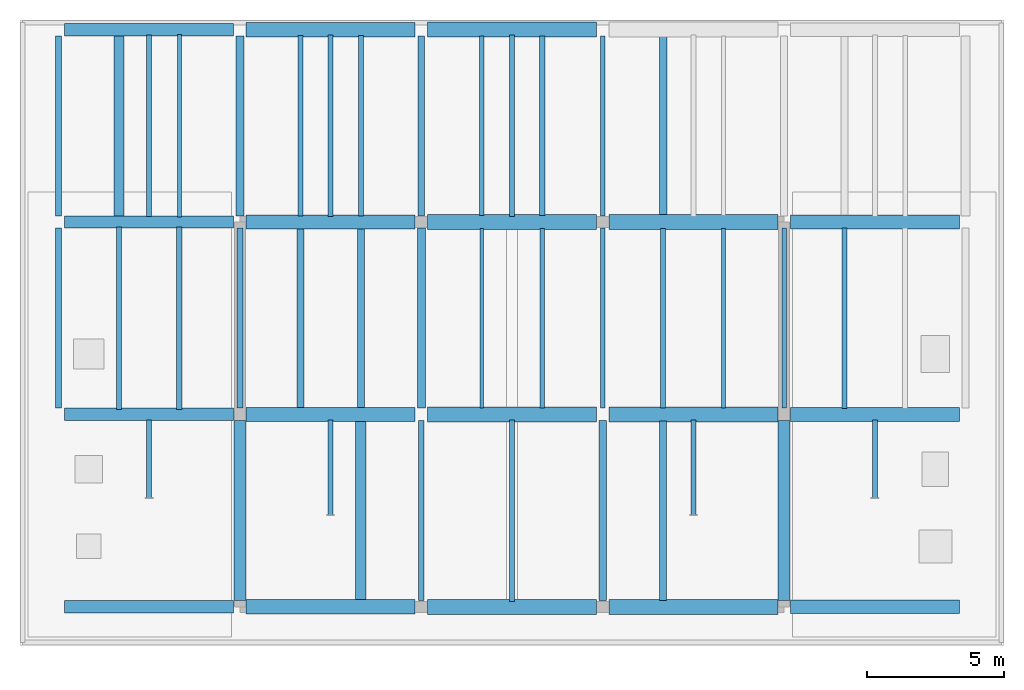
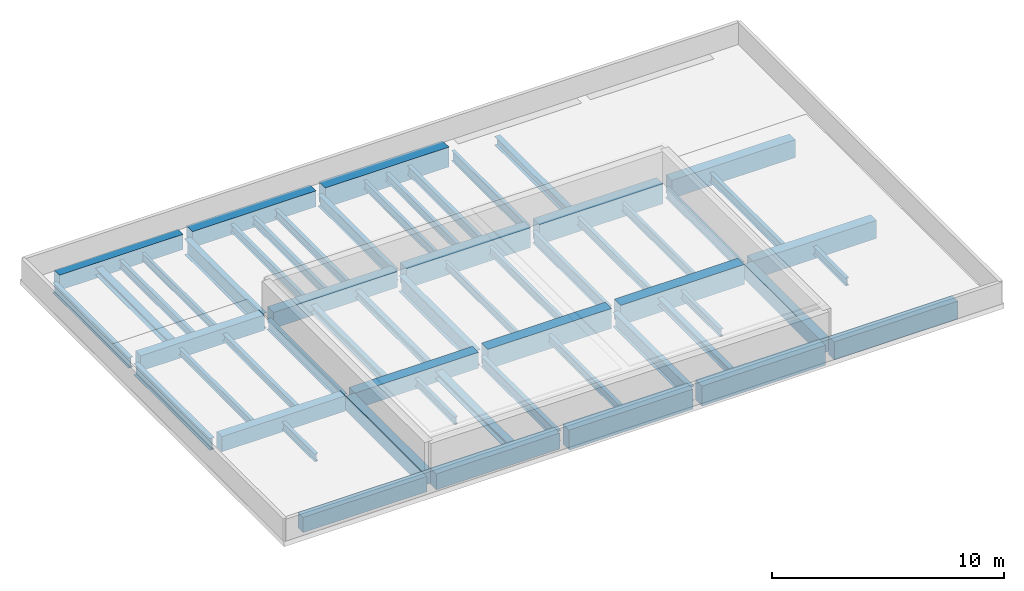
# One storey, part 1 of 6: 57 beams.
"""IFC4 building model written with IfcOpenShell, lengths in metres."""

from ifc_helpers import new_model, si_unit, direction, frame, origin, origin_2d, place, context, subcontext, project, spatial, rectangle, i_section, extrude, material, material_profile, profile_set, type_object, element, save


model = new_model("IFC4")

# Units and contexts
model_context = context("Model", 3, precision=1e-05, world=origin(), true_north=direction((0.0, 1.0)))
body_context = subcontext(model_context, "Body", "Model", "MODEL_VIEW")
ifc_project = project(units=[si_unit("LENGTHUNIT", "METRE"), si_unit("AREAUNIT", "SQUARE_METRE"), si_unit("VOLUMEUNIT", "CUBIC_METRE"), si_unit("PLANEANGLEUNIT", "RADIAN"), si_unit("MASSUNIT", "GRAM", prefix="KILO")], contexts=[model_context])

# Site, building, storey
site_placement = place(None, origin())
site = spatial("IfcSite", under=ifc_project, at=site_placement, CompositionType="ELEMENT")
building_placement = place(site_placement, origin())
building = spatial("IfcBuilding", under=site, at=building_placement, Name="Ciguamira Faculty of Natural Sciences", CompositionType="ELEMENT")
storey_placement = place(building_placement, frame((0.0, 0.0, 50.39990234375)))
storey = spatial("IfcBuildingStorey", under=building, at=storey_placement, Name="Roof", CompositionType="ELEMENT", Elevation=50.39990234375)

# Beams
ifc_material_1 = material(Name="Concrete C40/50", Category="concrete")
ifc_material_profile_1 = material_profile(ifc_material_1, rectangle(XDim=0.550048828125, YDim=1.050048828125, at=origin_2d()), Name="RC-BM-550X1050")
ifc_profile_set_1 = profile_set([ifc_material_profile_1], Name="Concrete C40/50")
beam_type_1 = type_object("IfcBeamType", Name="RCBeam_BG-01_RC-BM-550X1050", PredefinedType="BEAM", material=ifc_profile_set_1)
beam_1_placement = place(storey_placement, frame((83.925048828125, 94.0, -0.52490234375), z_axis=(1.0, 0.0, 0.0), x_axis=(0.0, 1.0, 0.0)))
element("IfcBeam", 1, at=beam_1_placement, inside=storey, type_object=beam_type_1, Name="Roof RC girder EW-1744", PredefinedType="BEAM", context=body_context, shape_type="SweptSolid", body=[
    extrude(rectangle(XDim=0.550048828125, YDim=1.050048828125, at=origin_2d()), origin(), (0.0, 0.0, 1.0), 6.14990234375),
])
beam_2_placement = place(storey_placement, frame((90.52490234375, 94.0, -0.52490234375), z_axis=(1.0, 0.0, 0.0), x_axis=(0.0, 1.0, 0.0)))
element("IfcBeam", 2, at=beam_2_placement, inside=storey, type_object=beam_type_1, Name="Roof RC girder EW-1745", PredefinedType="BEAM", context=body_context, shape_type="SweptSolid", body=[
    extrude(rectangle(XDim=0.550048828125, YDim=1.050048828125, at=origin_2d()), origin(), (0.0, 0.0, 1.0), 6.150146484375),
])
beam_3_placement = place(storey_placement, frame((83.925048828125, 101.0, -0.52490234375), z_axis=(1.0, 0.0, 0.0), x_axis=(0.0, 1.0, 0.0)))
element("IfcBeam", 3, at=beam_3_placement, inside=storey, type_object=beam_type_1, Name="Roof RC girder EW-1749", PredefinedType="BEAM", context=body_context, shape_type="SweptSolid", body=[
    extrude(rectangle(XDim=0.550048828125, YDim=1.050048828125, at=origin_2d()), origin(), (0.0, 0.0, 1.0), 6.14990234375),
])
beam_4_placement = place(storey_placement, frame((90.52490234375, 101.0, -0.52490234375), z_axis=(1.0, 0.0, 0.0), x_axis=(0.0, 1.0, 0.0)))
element("IfcBeam", 4, at=beam_4_placement, inside=storey, type_object=beam_type_1, Name="Roof RC girder EW-1750", PredefinedType="BEAM", context=body_context, shape_type="SweptSolid", body=[
    extrude(rectangle(XDim=0.550048828125, YDim=1.050048828125, at=origin_2d()), origin(), (0.0, 0.0, 1.0), 6.150146484375),
])
beam_5_placement = place(storey_placement, frame((83.925048828125, 108.0, -0.52490234375), z_axis=(1.0, 0.0, 0.0), x_axis=(0.0, 1.0, 0.0)))
element("IfcBeam", 5, at=beam_5_placement, inside=storey, type_object=beam_type_1, Name="Roof RC girder EW-1754", PredefinedType="BEAM", context=body_context, shape_type="SweptSolid", body=[
    extrude(rectangle(XDim=0.550048828125, YDim=1.050048828125, at=origin_2d()), origin(), (0.0, 0.0, 1.0), 6.14990234375),
])
beam_6_placement = place(storey_placement, frame((90.52490234375, 108.0, -0.52490234375), z_axis=(1.0, 0.0, 0.0), x_axis=(0.0, 1.0, 0.0)))
element("IfcBeam", 6, at=beam_6_placement, inside=storey, type_object=beam_type_1, Name="Roof RC girder EW-1755", PredefinedType="BEAM", context=body_context, shape_type="SweptSolid", body=[
    extrude(rectangle(XDim=0.550048828125, YDim=1.050048828125, at=origin_2d()), origin(), (0.0, 0.0, 1.0), 6.150146484375),
])
beam_7_placement = place(storey_placement, frame((83.925048828125, 115.0, -0.52490234375), z_axis=(1.0, 0.0, 0.0), x_axis=(0.0, 1.0, 0.0)))
element("IfcBeam", 7, at=beam_7_placement, inside=storey, type_object=beam_type_1, Name="Roof RC girder EW-1759", PredefinedType="BEAM", context=body_context, shape_type="SweptSolid", body=[
    extrude(rectangle(XDim=0.550048828125, YDim=1.050048828125, at=origin_2d()), origin(), (0.0, 0.0, 1.0), 6.14990234375),
])
ifc_material_profile_2 = material_profile(ifc_material_1, rectangle(XDim=0.5, YDim=0.949951171875, at=origin_2d()), Name="RC-BM-500X950")
ifc_profile_set_2 = profile_set([ifc_material_profile_2], Name="Concrete C40/50")
beam_type_2 = type_object("IfcBeamType", Name="RCBeam_BG-02_RC-BM-500X950", PredefinedType="BEAM", material=ifc_profile_set_2)
for number, where, z_axis, x_axis, name in (
    (8, (97.125, 94.0, -0.474853515625), (1.0, 0.0, 0.0), (0.0, 1.0, 0.0), "Roof RC girder EW-1746"),
    (9, (97.125, 101.0, -0.474853515625), (1.0, 0.0, 0.0), (0.0, 1.0, 0.0), "Roof RC girder EW-1751"),
    (10, (97.125, 108.0, -0.474853515625), (1.0, 0.0, 0.0), (0.0, 1.0, 0.0), "Roof RC girder EW-1756"),
):
    element("IfcBeam", number, at=place(storey_placement, frame(where, z_axis=z_axis, x_axis=x_axis)), inside=storey, type_object=beam_type_2, Name=name, PredefinedType="BEAM", context=body_context, shape_type="SweptSolid", body=[
        extrude(rectangle(XDim=0.5, YDim=0.949951171875, at=origin_2d()), origin(), (0.0, 0.0, 1.0), 6.14990234375),
    ])
ifc_material_profile_3 = material_profile(ifc_material_1, rectangle(XDim=0.449951171875, YDim=0.800048828125, at=origin_2d()), Name="RC-BM-450X800")
ifc_profile_set_3 = profile_set([ifc_material_profile_3], Name="Concrete C40/50")
beam_type_3 = type_object("IfcBeamType", Name="RCBeam_BG-05_RC-BM-450X800", PredefinedType="BEAM", material=ifc_profile_set_3)
for number, where, z_axis, x_axis, name in (
    (11, (70.72509765625, 94.0, -0.39990234375), (1.0, 0.0, 0.0), (0.0, 1.0, 0.0), "Roof RC girder EW-1742"),
    (12, (70.72509765625, 101.0, -0.39990234375), (1.0, 0.0, 0.0), (0.0, 1.0, 0.0), "Roof RC girder EW-1747"),
    (13, (70.72509765625, 108.0, -0.39990234375), (1.0, 0.0, 0.0), (0.0, 1.0, 0.0), "Roof RC girder EW-1752"),
    (14, (70.72509765625, 115.0, -0.39990234375), (1.0, 0.0, 0.0), (0.0, 1.0, 0.0), "Roof RC girder EW-1757"),
):
    element("IfcBeam", number, at=place(storey_placement, frame(where, z_axis=z_axis, x_axis=x_axis)), inside=storey, type_object=beam_type_3, Name=name, PredefinedType="BEAM", context=body_context, shape_type="SweptSolid", body=[
        extrude(rectangle(XDim=0.449951171875, YDim=0.800048828125, at=origin_2d()), origin(), (0.0, 0.0, 1.0), 6.14990234375),
    ])
ifc_material_profile_4 = material_profile(ifc_material_1, rectangle(XDim=0.43994140625, YDim=0.780029296875, at=origin_2d()), Name="RC-BM-440X780")
ifc_profile_set_4 = profile_set([ifc_material_profile_4], Name="Concrete C40/50")
beam_type_4 = type_object("IfcBeamType", Name="RCBeam_BG-06_RC-BM-440X780", PredefinedType="BEAM", material=ifc_profile_set_4)
for number, where, z_axis, x_axis, name in (
    (15, (77.10009765625, 94.22509765625, -0.389892578125), (0.0, 1.0, 0.0), (-1.0, 0.0, 0.0), "Roof core-end brace tie girder 77"),
    (16, (96.89990234375, 94.22509765625, -0.389892578125), (0.0, 1.0, 0.0), (-1.0, 0.0, 0.0), "Roof core-end brace tie girder 96"),
):
    element("IfcBeam", number, at=place(storey_placement, frame(where, z_axis=z_axis, x_axis=x_axis)), inside=storey, type_object=beam_type_4, Name=name, PredefinedType="BEAM", context=body_context, shape_type="SweptSolid", body=[
        extrude(rectangle(XDim=0.43994140625, YDim=0.780029296875, at=origin_2d()), origin(), (0.0, 0.0, 1.0), 6.5498046875),
    ])
ifc_material_profile_5 = material_profile(ifc_material_1, rectangle(XDim=0.52001953125, YDim=0.840087890625, at=origin_2d()), Name="RC-TB-520X840")
ifc_profile_set_5 = profile_set([ifc_material_profile_5], Name="Concrete C40/50")
beam_type_5 = type_object("IfcBeamType", Name="RCBeam_TB-02_RC-TB-520X840", PredefinedType="T_BEAM", material=ifc_profile_set_5)
for number, where, z_axis, x_axis, name in (
    (17, (77.324951171875, 94.0, -0.419921875), (1.0, 0.0, 0.0), (0.0, 1.0, 0.0), "Roof RC girder EW-1743"),
    (18, (77.324951171875, 101.0, -0.419921875), (1.0, 0.0, 0.0), (0.0, 1.0, 0.0), "Roof RC girder EW-1748"),
    (19, (77.324951171875, 108.0, -0.419921875), (1.0, 0.0, 0.0), (0.0, 1.0, 0.0), "Roof RC girder EW-1753"),
    (20, (77.324951171875, 115.0, -0.419921875), (1.0, 0.0, 0.0), (0.0, 1.0, 0.0), "Roof RC girder EW-1758"),
):
    element("IfcBeam", number, at=place(storey_placement, frame(where, z_axis=z_axis, x_axis=x_axis)), inside=storey, type_object=beam_type_5, Name=name, PredefinedType="T_BEAM", context=body_context, shape_type="SweptSolid", body=[
        extrude(rectangle(XDim=0.52001953125, YDim=0.840087890625, at=origin_2d()), origin(), (0.0, 0.0, 1.0), 6.150146484375),
    ])
ifc_material_2 = material(Name="Steel ASTM A992 Grade 50", Category="steel")
ifc_material_profile_6 = material_profile(ifc_material_2, i_section(OverallWidth=0.16650390625, OverallDepth=0.535888671875, WebThickness=0.01025390625, FlangeThickness=0.0166015625, at=origin_2d()), Name="W21X57")
ifc_profile_set_6 = profile_set([ifc_material_profile_6], Name="Steel ASTM A992 Grade 50")
beam_type_6 = type_object("IfcBeamType", Name="SteelGirder_SB-27_W21X57", PredefinedType="BEAM", material=ifc_profile_set_6)
for number, where, z_axis, x_axis, name in (
    (21, (90.300048828125, 108.22509765625, -0.52783203125), (0.0, 1.0, 0.0), (-1.0, 0.0, 0.0), "Roof girder NS-1771"),
    (22, (96.89990234375, 101.22509765625, -0.52783203125), (0.0, 1.0, 0.0), (-1.0, 0.0, 0.0), "Roof girder NS-1772"),
):
    element("IfcBeam", number, at=place(storey_placement, frame(where, z_axis=z_axis, x_axis=x_axis)), inside=storey, type_object=beam_type_6, Name=name, PredefinedType="BEAM", context=body_context, shape_type="SweptSolid", body=[
        extrude(i_section(OverallWidth=0.16650390625, OverallDepth=0.535888671875, WebThickness=0.01025390625, FlangeThickness=0.0166015625, at=origin_2d()), origin(), (0.0, 0.0, 1.0), 6.5498046875),
    ])
ifc_material_profile_7 = material_profile(ifc_material_2, i_section(OverallWidth=0.21240234375, OverallDepth=0.54345703125, WebThickness=0.01318359375, FlangeThickness=0.021240234375, at=origin_2d()), Name="W21X83")
ifc_profile_set_7 = profile_set([ifc_material_profile_7], Name="Steel ASTM A992 Grade 50")
beam_type_7 = type_object("IfcBeamType", Name="SteelGirder_SB-29_W21X83", PredefinedType="BEAM", material=ifc_profile_set_7)
for number, where, z_axis, x_axis, name in (
    (23, (70.5, 108.22509765625, -0.53173828125), (0.0, 1.0, 0.0), (-1.0, 0.0, 0.0), "Roof girder NS-1763"),
    (24, (77.10009765625, 101.22509765625, -0.53173828125), (0.0, 1.0, 0.0), (-1.0, 0.0, 0.0), "Roof girder NS-1764"),
    (25, (83.699951171875, 94.22509765625, -0.53173828125), (0.0, 1.0, 0.0), (-1.0, 0.0, 0.0), "Roof girder NS-1766"),
):
    element("IfcBeam", number, at=place(storey_placement, frame(where, z_axis=z_axis, x_axis=x_axis)), inside=storey, type_object=beam_type_7, Name=name, PredefinedType="BEAM", context=body_context, shape_type="SweptSolid", body=[
        extrude(i_section(OverallWidth=0.21240234375, OverallDepth=0.54345703125, WebThickness=0.01318359375, FlangeThickness=0.021240234375, at=origin_2d()), origin(), (0.0, 0.0, 1.0), 6.5498046875),
    ])
ifc_material_profile_8 = material_profile(ifc_material_2, i_section(OverallWidth=0.177978515625, OverallDepth=0.599365234375, WebThickness=0.010009765625, FlangeThickness=0.012939453125, at=origin_2d()), Name="W24X55")
ifc_profile_set_8 = profile_set([ifc_material_profile_8], Name="Steel ASTM A992 Grade 50")
beam_type_8 = type_object("IfcBeamType", Name="SteelGirder_SB-31_W24X55", PredefinedType="BEAM", material=ifc_profile_set_8)
beam_8_placement = place(storey_placement, frame((90.300048828125, 101.22509765625, -0.5595703125), z_axis=(0.0, 1.0, 0.0), x_axis=(-1.0, 0.0, 0.0)))
element("IfcBeam", 26, at=beam_8_placement, inside=storey, type_object=beam_type_8, Name="Roof girder NS-1770", PredefinedType="BEAM", context=body_context, shape_type="SweptSolid", body=[
    extrude(i_section(OverallWidth=0.177978515625, OverallDepth=0.599365234375, WebThickness=0.010009765625, FlangeThickness=0.012939453125, at=origin_2d()), origin(), (0.0, 0.0, 1.0), 6.5498046875),
])
ifc_material_profile_9 = material_profile(ifc_material_2, i_section(OverallWidth=0.227783203125, OverallDepth=0.60205078125, WebThickness=0.010498046875, FlangeThickness=0.014892578125, at=origin_2d()), Name="W24X68")
ifc_profile_set_9 = profile_set([ifc_material_profile_9], Name="Steel ASTM A992 Grade 50")
beam_type_9 = type_object("IfcBeamType", Name="SteelGirder_SB-32_W24X68", PredefinedType="BEAM", material=ifc_profile_set_9)
beam_9_placement = place(storey_placement, frame((83.699951171875, 108.22509765625, -0.560791015625), z_axis=(0.0, 1.0, 0.0), x_axis=(-1.0, 0.0, 0.0)))
element("IfcBeam", 27, at=beam_9_placement, inside=storey, type_object=beam_type_9, Name="Roof girder NS-1768", PredefinedType="BEAM", context=body_context, shape_type="SweptSolid", body=[
    extrude(i_section(OverallWidth=0.227783203125, OverallDepth=0.60205078125, WebThickness=0.010498046875, FlangeThickness=0.014892578125, at=origin_2d()), origin(), (0.0, 0.0, 1.0), 6.5498046875),
])
ifc_material_profile_10 = material_profile(ifc_material_2, i_section(OverallWidth=0.22900390625, OverallDepth=0.612060546875, WebThickness=0.011962890625, FlangeThickness=0.01953125, at=origin_2d()), Name="W24X84")
ifc_profile_set_10 = profile_set([ifc_material_profile_10], Name="Steel ASTM A992 Grade 50")
beam_type_10 = type_object("IfcBeamType", Name="SteelGirder_SB-33_W24X84", PredefinedType="BEAM", material=ifc_profile_set_10)
beam_10_placement = place(storey_placement, frame((70.5, 101.22509765625, -0.56591796875), z_axis=(0.0, 1.0, 0.0), x_axis=(-1.0, 0.0, 0.0)))
element("IfcBeam", 28, at=beam_10_placement, inside=storey, type_object=beam_type_10, Name="Roof girder NS-1762", PredefinedType="BEAM", context=body_context, shape_type="SweptSolid", body=[
    extrude(i_section(OverallWidth=0.22900390625, OverallDepth=0.612060546875, WebThickness=0.011962890625, FlangeThickness=0.01953125, at=origin_2d()), origin(), (0.0, 0.0, 1.0), 6.5498046875),
])
ifc_material_profile_11 = material_profile(ifc_material_2, i_section(OverallWidth=0.2666015625, OverallDepth=0.75439453125, WebThickness=0.01318359375, FlangeThickness=0.01708984375, at=origin_2d()), Name="W30X99")
ifc_profile_set_11 = profile_set([ifc_material_profile_11], Name="Steel ASTM A992 Grade 50")
beam_type_11 = type_object("IfcBeamType", Name="SteelGirder_SB-35_W30X99", PredefinedType="BEAM", material=ifc_profile_set_11)
beam_11_placement = place(storey_placement, frame((90.300048828125, 94.22509765625, -0.63720703125), z_axis=(0.0, 1.0, 0.0), x_axis=(-1.0, 0.0, 0.0)))
element("IfcBeam", 29, at=beam_11_placement, inside=storey, type_object=beam_type_11, Name="Roof girder NS-1769", PredefinedType="BEAM", context=body_context, shape_type="SweptSolid", body=[
    extrude(i_section(OverallWidth=0.2666015625, OverallDepth=0.75439453125, WebThickness=0.01318359375, FlangeThickness=0.01708984375, at=origin_2d()), origin(), (0.0, 0.0, 1.0), 6.5498046875),
])
ifc_material_profile_12 = material_profile(ifc_material_2, i_section(OverallWidth=0.2919921875, OverallDepth=0.835693359375, WebThickness=0.013916015625, FlangeThickness=0.018798828125, at=origin_2d()), Name="W33X118")
ifc_profile_set_12 = profile_set([ifc_material_profile_12], Name="Steel ASTM A992 Grade 50")
beam_type_12 = type_object("IfcBeamType", Name="SteelGirder_SB-36_W33X118", PredefinedType="BEAM", material=ifc_profile_set_12)
for number, where, z_axis, x_axis, name in (
    (30, (77.10009765625, 108.22509765625, -0.677734375), (0.0, 1.0, 0.0), (-1.0, 0.0, 0.0), "Roof girder NS-1765"),
    (31, (83.699951171875, 101.22509765625, -0.677734375), (0.0, 1.0, 0.0), (-1.0, 0.0, 0.0), "Roof girder NS-1767"),
):
    element("IfcBeam", number, at=place(storey_placement, frame(where, z_axis=z_axis, x_axis=x_axis)), inside=storey, type_object=beam_type_12, Name=name, PredefinedType="BEAM", context=body_context, shape_type="SweptSolid", body=[
        extrude(i_section(OverallWidth=0.2919921875, OverallDepth=0.835693359375, WebThickness=0.013916015625, FlangeThickness=0.018798828125, at=origin_2d()), origin(), (0.0, 0.0, 1.0), 6.5498046875),
    ])
ifc_material_profile_13 = material_profile(ifc_material_2, i_section(OverallWidth=0.373291015625, OverallDepth=0.373291015625, WebThickness=0.016357421875, FlangeThickness=0.026123046875, at=origin_2d()), Name="W14X132")
ifc_profile_set_13 = profile_set([ifc_material_profile_13], Name="Steel ASTM A992 Grade 50")
beam_type_13 = type_object("IfcBeamType", Name="SteelJoist_SJ-10_W14X132", PredefinedType="JOIST", material=ifc_profile_set_13)
beam_12_placement = place(storey_placement, frame((81.5, 94.219970703125, -0.446533203125), z_axis=(0.0, 1.0, 0.0), x_axis=(-1.0, 0.0, 0.0)))
element("IfcBeam", 32, at=beam_12_placement, inside=storey, type_object=beam_type_13, Name="Roof composite steel joist 01554", PredefinedType="JOIST", context=body_context, shape_type="SweptSolid", body=[
    extrude(i_section(OverallWidth=0.373291015625, OverallDepth=0.373291015625, WebThickness=0.016357421875, FlangeThickness=0.026123046875, at=origin_2d()), origin(), (0.0, 0.0, 1.0), 6.56005859375),
])
ifc_material_profile_14 = material_profile(ifc_material_2, i_section(OverallWidth=0.1708984375, OverallDepth=0.3505859375, WebThickness=0.0068359375, FlangeThickness=0.009765625, at=origin_2d()), Name="W14X30")
ifc_profile_set_14 = profile_set([ifc_material_profile_14], Name="Steel ASTM A992 Grade 50")
beam_type_14 = type_object("IfcBeamType", Name="SteelJoist_SJ-11_W14X30", PredefinedType="JOIST", material=ifc_profile_set_14)
beam_13_placement = place(storey_placement, frame((72.699951171875, 101.18505859375, -0.435302734375), z_axis=(0.0, 1.0, 0.0), x_axis=(-1.0, 0.0, 0.0)))
element("IfcBeam", 33, at=beam_13_placement, inside=storey, type_object=beam_type_14, Name="Roof composite steel joist 01550", PredefinedType="JOIST", context=body_context, shape_type="SweptSolid", body=[
    extrude(i_section(OverallWidth=0.1708984375, OverallDepth=0.3505859375, WebThickness=0.0068359375, FlangeThickness=0.009765625, at=origin_2d()), origin(), (0.0, 0.0, 1.0), 6.6298828125),
])
ifc_material_profile_15 = material_profile(ifc_material_2, i_section(OverallWidth=0.203125, OverallDepth=0.347900390625, WebThickness=0.0078125, FlangeThickness=0.013427734375, at=origin_2d()), Name="W14X43")
ifc_profile_set_15 = profile_set([ifc_material_profile_15], Name="Steel ASTM A992 Grade 50")
beam_type_15 = type_object("IfcBeamType", Name="SteelJoist_SJ-12_W14X43", PredefinedType="JOIST", material=ifc_profile_set_15)
beam_14_placement = place(storey_placement, frame((74.89990234375, 101.18505859375, -0.433837890625), z_axis=(0.0, 1.0, 0.0), x_axis=(-1.0, 0.0, 0.0)))
element("IfcBeam", 34, at=beam_14_placement, inside=storey, type_object=beam_type_15, Name="Roof composite steel joist 01551", PredefinedType="JOIST", context=body_context, shape_type="SweptSolid", body=[
    extrude(i_section(OverallWidth=0.203125, OverallDepth=0.347900390625, WebThickness=0.0078125, FlangeThickness=0.013427734375, at=origin_2d()), origin(), (0.0, 0.0, 1.0), 6.6298828125),
])
ifc_material_profile_16 = material_profile(ifc_material_2, i_section(OverallWidth=0.25390625, OverallDepth=0.355712890625, WebThickness=0.010498046875, FlangeThickness=0.018310546875, at=origin_2d()), Name="W14X68")
ifc_profile_set_16 = profile_set([ifc_material_profile_16], Name="Steel ASTM A992 Grade 50")
beam_type_16 = type_object("IfcBeamType", Name="SteelJoist_SJ-14_W14X68", PredefinedType="JOIST", material=ifc_profile_set_16)
beam_15_placement = place(storey_placement, frame((79.300048828125, 101.219970703125, -0.437744140625), z_axis=(0.0, 1.0, 0.0), x_axis=(-1.0, 0.0, 0.0)))
element("IfcBeam", 35, at=beam_15_placement, inside=storey, type_object=beam_type_16, Name="Roof composite steel joist 01555", PredefinedType="JOIST", context=body_context, shape_type="SweptSolid", body=[
    extrude(i_section(OverallWidth=0.25390625, OverallDepth=0.355712890625, WebThickness=0.010498046875, FlangeThickness=0.018310546875, at=origin_2d()), origin(), (0.0, 0.0, 1.0), 6.56005859375),
])
ifc_material_profile_17 = material_profile(ifc_material_2, i_section(OverallWidth=0.256591796875, OverallDepth=0.36328125, WebThickness=0.012939453125, FlangeThickness=0.021728515625, at=origin_2d()), Name="W14X82")
ifc_profile_set_17 = profile_set([ifc_material_profile_17], Name="Steel ASTM A992 Grade 50")
beam_type_17 = type_object("IfcBeamType", Name="SteelJoist_SJ-15_W14X82", PredefinedType="JOIST", material=ifc_profile_set_17)
beam_16_placement = place(storey_placement, frame((81.5, 101.219970703125, -0.44140625), z_axis=(0.0, 1.0, 0.0), x_axis=(-1.0, 0.0, 0.0)))
element("IfcBeam", 36, at=beam_16_placement, inside=storey, type_object=beam_type_17, Name="Roof composite steel joist 01556", PredefinedType="JOIST", context=body_context, shape_type="SweptSolid", body=[
    extrude(i_section(OverallWidth=0.256591796875, OverallDepth=0.36328125, WebThickness=0.012939453125, FlangeThickness=0.021728515625, at=origin_2d()), origin(), (0.0, 0.0, 1.0), 6.56005859375),
])
beam_17_placement = place(storey_placement, frame((92.5, 94.235107421875, -0.44140625), z_axis=(0.0, 1.0, 0.0), x_axis=(-1.0, 0.0, 0.0)))
element("IfcBeam", 37, at=beam_17_placement, inside=storey, type_object=beam_type_17, Name="Roof composite steel joist 01563", PredefinedType="JOIST", context=body_context, shape_type="SweptSolid", body=[
    extrude(i_section(OverallWidth=0.256591796875, OverallDepth=0.36328125, WebThickness=0.012939453125, FlangeThickness=0.021728515625, at=origin_2d()), origin(), (0.0, 0.0, 1.0), 6.52978515625),
])
ifc_material_profile_18 = material_profile(ifc_material_2, i_section(OverallWidth=0.368408203125, OverallDepth=0.355712890625, WebThickness=0.01123046875, FlangeThickness=0.01806640625, at=origin_2d()), Name="W14X90")
ifc_profile_set_18 = profile_set([ifc_material_profile_18], Name="Steel ASTM A992 Grade 50")
beam_type_18 = type_object("IfcBeamType", Name="SteelJoist_SJ-16_W14X90", PredefinedType="JOIST", material=ifc_profile_set_18)
beam_18_placement = place(storey_placement, frame((72.699951171875, 108.18505859375, -0.437744140625), z_axis=(0.0, 1.0, 0.0), x_axis=(-1.0, 0.0, 0.0)))
element("IfcBeam", 38, at=beam_18_placement, inside=storey, type_object=beam_type_18, Name="Roof composite steel joist 01552", PredefinedType="JOIST", context=body_context, shape_type="SweptSolid", body=[
    extrude(i_section(OverallWidth=0.368408203125, OverallDepth=0.355712890625, WebThickness=0.01123046875, FlangeThickness=0.01806640625, at=origin_2d()), origin(), (0.0, 0.0, 1.0), 6.6298828125),
])
ifc_material_profile_19 = material_profile(ifc_material_2, i_section(OverallWidth=0.140380859375, OverallDepth=0.40380859375, WebThickness=0.007080078125, FlangeThickness=0.01123046875, at=origin_2d()), Name="W16X31")
ifc_profile_set_19 = profile_set([ifc_material_profile_19], Name="Steel ASTM A992 Grade 50")
beam_type_19 = type_object("IfcBeamType", Name="SteelJoist_SJ-17_W16X31", PredefinedType="JOIST", material=ifc_profile_set_19)
beam_19_placement = place(storey_placement, frame((74.89990234375, 108.18505859375, -0.4619140625), z_axis=(0.0, 1.0, 0.0), x_axis=(-1.0, 0.0, 0.0)))
element("IfcBeam", 39, at=beam_19_placement, inside=storey, type_object=beam_type_19, Name="Roof composite steel joist 01553", PredefinedType="JOIST", context=body_context, shape_type="SweptSolid", body=[
    extrude(i_section(OverallWidth=0.140380859375, OverallDepth=0.40380859375, WebThickness=0.007080078125, FlangeThickness=0.01123046875, at=origin_2d()), origin(), (0.0, 0.0, 1.0), 6.6298828125),
])
beam_20_placement = place(storey_placement, frame((85.89990234375, 101.235107421875, -0.4619140625), z_axis=(0.0, 1.0, 0.0), x_axis=(-1.0, 0.0, 0.0)))
element("IfcBeam", 40, at=beam_20_placement, inside=storey, type_object=beam_type_19, Name="Roof composite steel joist 01559", PredefinedType="JOIST", context=body_context, shape_type="SweptSolid", body=[
    extrude(i_section(OverallWidth=0.140380859375, OverallDepth=0.40380859375, WebThickness=0.007080078125, FlangeThickness=0.01123046875, at=origin_2d()), origin(), (0.0, 0.0, 1.0), 6.52978515625),
])
ifc_material_profile_20 = material_profile(ifc_material_2, i_section(OverallWidth=0.177490234375, OverallDepth=0.40380859375, WebThickness=0.007568359375, FlangeThickness=0.010986328125, at=origin_2d()), Name="W16X36")
ifc_profile_set_20 = profile_set([ifc_material_profile_20], Name="Steel ASTM A992 Grade 50")
beam_type_20 = type_object("IfcBeamType", Name="SteelJoist_SJ-18_W16X36", PredefinedType="JOIST", material=ifc_profile_set_20)
beam_21_placement = place(storey_placement, frame((88.10009765625, 101.235107421875, -0.4619140625), z_axis=(0.0, 1.0, 0.0), x_axis=(-1.0, 0.0, 0.0)))
element("IfcBeam", 41, at=beam_21_placement, inside=storey, type_object=beam_type_20, Name="Roof composite steel joist 01560", PredefinedType="JOIST", context=body_context, shape_type="SweptSolid", body=[
    extrude(i_section(OverallWidth=0.177490234375, OverallDepth=0.40380859375, WebThickness=0.007568359375, FlangeThickness=0.010986328125, at=origin_2d()), origin(), (0.0, 0.0, 1.0), 6.52978515625),
])
ifc_material_profile_21 = material_profile(ifc_material_2, i_section(OverallWidth=0.1787109375, OverallDepth=0.408935546875, WebThickness=0.0087890625, FlangeThickness=0.014404296875, at=origin_2d()), Name="W16X45")
ifc_profile_set_21 = profile_set([ifc_material_profile_21], Name="Steel ASTM A992 Grade 50")
beam_type_21 = type_object("IfcBeamType", Name="SteelJoist_SJ-19_W16X45", PredefinedType="JOIST", material=ifc_profile_set_21)
beam_22_placement = place(storey_placement, frame((79.300048828125, 108.219970703125, -0.46435546875), z_axis=(0.0, 1.0, 0.0), x_axis=(-1.0, 0.0, 0.0)))
element("IfcBeam", 42, at=beam_22_placement, inside=storey, type_object=beam_type_21, Name="Roof composite steel joist 01557", PredefinedType="JOIST", context=body_context, shape_type="SweptSolid", body=[
    extrude(i_section(OverallWidth=0.1787109375, OverallDepth=0.408935546875, WebThickness=0.0087890625, FlangeThickness=0.014404296875, at=origin_2d()), origin(), (0.0, 0.0, 1.0), 6.56005859375),
])
beam_23_placement = place(storey_placement, frame((73.800048828125, 97.9599609375, -0.46435546875), z_axis=(0.0, 1.0, 0.0), x_axis=(-1.0, 0.0, 0.0)))
element("IfcBeam", 43, at=beam_23_placement, inside=storey, type_object=beam_type_21, Name="Roof hurricane eave outrigger 001", PredefinedType="JOIST", context=body_context, shape_type="SweptSolid", body=[
    extrude(i_section(OverallWidth=0.1787109375, OverallDepth=0.408935546875, WebThickness=0.0087890625, FlangeThickness=0.014404296875, at=origin_2d()), origin(), (0.0, 0.0, 1.0), 2.840087890625),
])
beam_24_placement = place(storey_placement, frame((73.800048828125, 108.199951171875, -0.46435546875), z_axis=(0.0, 1.0, 0.0), x_axis=(-1.0, 0.0, 0.0)))
element("IfcBeam", 44, at=beam_24_placement, inside=storey, type_object=beam_type_21, Name="Roof hurricane eave outrigger 002", PredefinedType="JOIST", context=body_context, shape_type="SweptSolid", body=[
    extrude(i_section(OverallWidth=0.1787109375, OverallDepth=0.408935546875, WebThickness=0.0087890625, FlangeThickness=0.014404296875, at=origin_2d()), origin(), (0.0, 0.0, 1.0), 6.60009765625),
])
beam_25_placement = place(storey_placement, frame((80.39990234375, 97.35009765625, -0.46435546875), z_axis=(0.0, 1.0, 0.0), x_axis=(-1.0, 0.0, 0.0)))
element("IfcBeam", 45, at=beam_25_placement, inside=storey, type_object=beam_type_21, Name="Roof hurricane eave outrigger 003", PredefinedType="JOIST", context=body_context, shape_type="SweptSolid", body=[
    extrude(i_section(OverallWidth=0.1787109375, OverallDepth=0.408935546875, WebThickness=0.0087890625, FlangeThickness=0.014404296875, at=origin_2d()), origin(), (0.0, 0.0, 1.0), 3.449951171875),
])
for number, where, z_axis, x_axis, name in (
    (46, (80.39990234375, 108.199951171875, -0.46435546875), (0.0, 1.0, 0.0), (-1.0, 0.0, 0.0), "Roof hurricane eave outrigger 004"),
    (47, (87.0, 94.199951171875, -0.46435546875), (0.0, 1.0, 0.0), (-1.0, 0.0, 0.0), "Roof hurricane eave outrigger 005"),
    (48, (87.0, 108.199951171875, -0.46435546875), (0.0, 1.0, 0.0), (-1.0, 0.0, 0.0), "Roof hurricane eave outrigger 006"),
):
    element("IfcBeam", number, at=place(storey_placement, frame(where, z_axis=z_axis, x_axis=x_axis)), inside=storey, type_object=beam_type_21, Name=name, PredefinedType="JOIST", context=body_context, shape_type="SweptSolid", body=[
        extrude(i_section(OverallWidth=0.1787109375, OverallDepth=0.408935546875, WebThickness=0.0087890625, FlangeThickness=0.014404296875, at=origin_2d()), origin(), (0.0, 0.0, 1.0), 6.60009765625),
    ])
beam_26_placement = place(storey_placement, frame((93.60009765625, 97.35009765625, -0.46435546875), z_axis=(0.0, 1.0, 0.0), x_axis=(-1.0, 0.0, 0.0)))
element("IfcBeam", 49, at=beam_26_placement, inside=storey, type_object=beam_type_21, Name="Roof hurricane eave outrigger 007", PredefinedType="JOIST", context=body_context, shape_type="SweptSolid", body=[
    extrude(i_section(OverallWidth=0.1787109375, OverallDepth=0.408935546875, WebThickness=0.0087890625, FlangeThickness=0.014404296875, at=origin_2d()), origin(), (0.0, 0.0, 1.0), 3.449951171875),
])
beam_27_placement = place(storey_placement, frame((100.199951171875, 97.9599609375, -0.46435546875), z_axis=(0.0, 1.0, 0.0), x_axis=(-1.0, 0.0, 0.0)))
element("IfcBeam", 50, at=beam_27_placement, inside=storey, type_object=beam_type_21, Name="Roof hurricane eave outrigger 009", PredefinedType="JOIST", context=body_context, shape_type="SweptSolid", body=[
    extrude(i_section(OverallWidth=0.1787109375, OverallDepth=0.408935546875, WebThickness=0.0087890625, FlangeThickness=0.014404296875, at=origin_2d()), origin(), (0.0, 0.0, 1.0), 2.840087890625),
])
ifc_material_profile_22 = material_profile(ifc_material_2, i_section(OverallWidth=0.180908203125, OverallDepth=0.41650390625, WebThickness=0.010986328125, FlangeThickness=0.01806640625, at=origin_2d()), Name="W16X57")
ifc_profile_set_22 = profile_set([ifc_material_profile_22], Name="Steel ASTM A992 Grade 50")
beam_type_22 = type_object("IfcBeamType", Name="SteelJoist_SJ-20_W16X57", PredefinedType="JOIST", material=ifc_profile_set_22)
beam_28_placement = place(storey_placement, frame((81.5, 108.219970703125, -0.46826171875), z_axis=(0.0, 1.0, 0.0), x_axis=(-1.0, 0.0, 0.0)))
element("IfcBeam", 51, at=beam_28_placement, inside=storey, type_object=beam_type_22, Name="Roof composite steel joist 01558", PredefinedType="JOIST", context=body_context, shape_type="SweptSolid", body=[
    extrude(i_section(OverallWidth=0.180908203125, OverallDepth=0.41650390625, WebThickness=0.010986328125, FlangeThickness=0.01806640625, at=origin_2d()), origin(), (0.0, 0.0, 1.0), 6.56005859375),
])
beam_29_placement = place(storey_placement, frame((92.5, 101.235107421875, -0.46826171875), z_axis=(0.0, 1.0, 0.0), x_axis=(-1.0, 0.0, 0.0)))
element("IfcBeam", 52, at=beam_29_placement, inside=storey, type_object=beam_type_22, Name="Roof composite steel joist 01564", PredefinedType="JOIST", context=body_context, shape_type="SweptSolid", body=[
    extrude(i_section(OverallWidth=0.180908203125, OverallDepth=0.41650390625, WebThickness=0.010986328125, FlangeThickness=0.01806640625, at=origin_2d()), origin(), (0.0, 0.0, 1.0), 6.52978515625),
])
ifc_material_profile_23 = material_profile(ifc_material_2, i_section(OverallWidth=0.15234375, OverallDepth=0.449462890625, WebThickness=0.007568359375, FlangeThickness=0.0107421875, at=origin_2d()), Name="W18X35")
ifc_profile_set_23 = profile_set([ifc_material_profile_23], Name="Steel ASTM A992 Grade 50")
beam_type_23 = type_object("IfcBeamType", Name="SteelJoist_SJ-21_W18X35", PredefinedType="JOIST", material=ifc_profile_set_23)
beam_30_placement = place(storey_placement, frame((94.699951171875, 101.235107421875, -0.484619140625), z_axis=(0.0, 1.0, 0.0), x_axis=(-1.0, 0.0, 0.0)))
element("IfcBeam", 53, at=beam_30_placement, inside=storey, type_object=beam_type_23, Name="Roof composite steel joist 01565", PredefinedType="JOIST", context=body_context, shape_type="SweptSolid", body=[
    extrude(i_section(OverallWidth=0.15234375, OverallDepth=0.449462890625, WebThickness=0.007568359375, FlangeThickness=0.0107421875, at=origin_2d()), origin(), (0.0, 0.0, 1.0), 6.52978515625),
])
ifc_material_profile_24 = material_profile(ifc_material_2, i_section(OverallWidth=0.15283203125, OverallDepth=0.45458984375, WebThickness=0.008056640625, FlangeThickness=0.013427734375, at=origin_2d()), Name="W18X40")
ifc_profile_set_24 = profile_set([ifc_material_profile_24], Name="Steel ASTM A992 Grade 50")
beam_type_24 = type_object("IfcBeamType", Name="SteelJoist_SJ-22_W18X40", PredefinedType="JOIST", material=ifc_profile_set_24)
beam_31_placement = place(storey_placement, frame((85.89990234375, 108.235107421875, -0.4873046875), z_axis=(0.0, 1.0, 0.0), x_axis=(-1.0, 0.0, 0.0)))
element("IfcBeam", 54, at=beam_31_placement, inside=storey, type_object=beam_type_24, Name="Roof composite steel joist 01561", PredefinedType="JOIST", context=body_context, shape_type="SweptSolid", body=[
    extrude(i_section(OverallWidth=0.15283203125, OverallDepth=0.45458984375, WebThickness=0.008056640625, FlangeThickness=0.013427734375, at=origin_2d()), origin(), (0.0, 0.0, 1.0), 6.52978515625),
])
ifc_material_profile_25 = material_profile(ifc_material_2, i_section(OverallWidth=0.1904296875, OverallDepth=0.457275390625, WebThickness=0.009033203125, FlangeThickness=0.014404296875, at=origin_2d()), Name="W18X50")
ifc_profile_set_25 = profile_set([ifc_material_profile_25], Name="Steel ASTM A992 Grade 50")
beam_type_25 = type_object("IfcBeamType", Name="SteelJoist_SJ-23_W18X50", PredefinedType="JOIST", material=ifc_profile_set_25)
beam_32_placement = place(storey_placement, frame((88.10009765625, 108.235107421875, -0.488525390625), z_axis=(0.0, 1.0, 0.0), x_axis=(-1.0, 0.0, 0.0)))
element("IfcBeam", 55, at=beam_32_placement, inside=storey, type_object=beam_type_25, Name="Roof composite steel joist 01562", PredefinedType="JOIST", context=body_context, shape_type="SweptSolid", body=[
    extrude(i_section(OverallWidth=0.1904296875, OverallDepth=0.457275390625, WebThickness=0.009033203125, FlangeThickness=0.014404296875, at=origin_2d()), origin(), (0.0, 0.0, 1.0), 6.52978515625),
])
beam_33_placement = place(storey_placement, frame((99.10009765625, 101.2099609375, -0.488525390625), z_axis=(0.0, 1.0, 0.0), x_axis=(-1.0, 0.0, 0.0)))
element("IfcBeam", 56, at=beam_33_placement, inside=storey, type_object=beam_type_25, Name="Roof composite steel joist 01568", PredefinedType="JOIST", context=body_context, shape_type="SweptSolid", body=[
    extrude(i_section(OverallWidth=0.1904296875, OverallDepth=0.457275390625, WebThickness=0.009033203125, FlangeThickness=0.014404296875, at=origin_2d()), origin(), (0.0, 0.0, 1.0), 6.580078125),
])
ifc_material_profile_26 = material_profile(ifc_material_2, i_section(OverallWidth=0.279296875, OverallDepth=0.462158203125, WebThickness=0.0107421875, FlangeThickness=0.017333984375, at=origin_2d()), Name="W18X76")
ifc_profile_set_26 = profile_set([ifc_material_profile_26], Name="Steel ASTM A992 Grade 50")
beam_type_26 = type_object("IfcBeamType", Name="SteelJoist_SJ-25_W18X76", PredefinedType="JOIST", material=ifc_profile_set_26)
beam_34_placement = place(storey_placement, frame((92.5, 108.235107421875, -0.490966796875), z_axis=(0.0, 1.0, 0.0), x_axis=(-1.0, 0.0, 0.0)))
element("IfcBeam", 57, at=beam_34_placement, inside=storey, type_object=beam_type_26, Name="Roof composite steel joist 01566", PredefinedType="JOIST", context=body_context, shape_type="SweptSolid", body=[
    extrude(i_section(OverallWidth=0.279296875, OverallDepth=0.462158203125, WebThickness=0.0107421875, FlangeThickness=0.017333984375, at=origin_2d()), origin(), (0.0, 0.0, 1.0), 6.52978515625),
])

save(model, "model.ifc")
